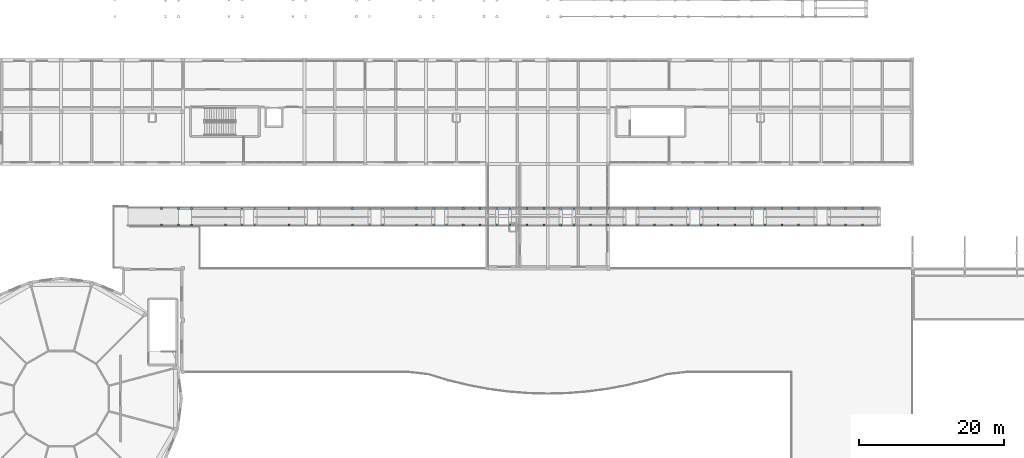
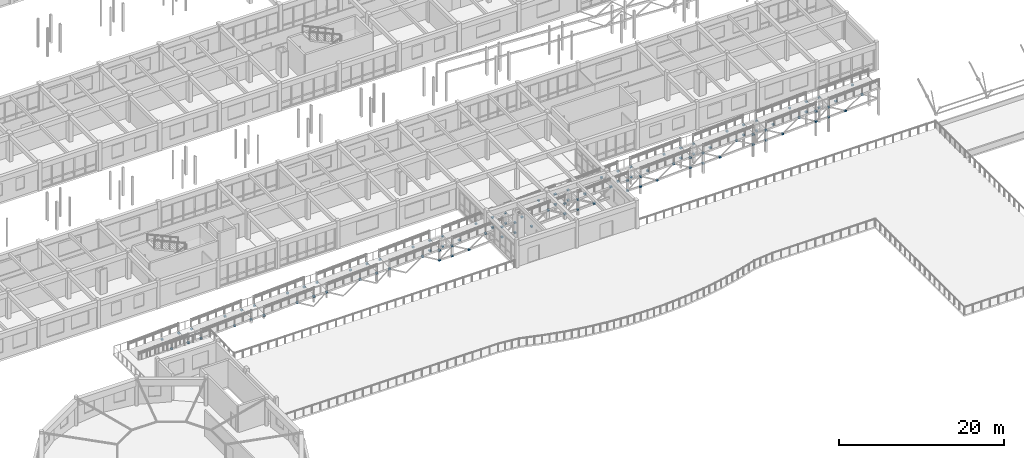
# One storey, part 64 of 90: 110 plates.
"""IFC4 building model written with IfcOpenShell, lengths in metres."""

from ifc_helpers import new_model, si_unit, direction, frame, origin, origin_2d, place, context, subcontext, project, spatial, rectangle, extrude, material, layer, layer_set, type_object, element, save


model = new_model("IFC4")

# Units and contexts
model_context = context("Model", 3, precision=1e-05, world=origin(), true_north=direction((0.0, 1.0)))
body_context = subcontext(model_context, "Body", "Model", "MODEL_VIEW")
ifc_project = project(units=[si_unit("LENGTHUNIT", "METRE"), si_unit("AREAUNIT", "SQUARE_METRE"), si_unit("VOLUMEUNIT", "CUBIC_METRE"), si_unit("PLANEANGLEUNIT", "RADIAN"), si_unit("MASSUNIT", "GRAM", prefix="KILO")], contexts=[model_context])

# Site, building, storey
site_placement = place(None, origin())
site = spatial("IfcSite", under=ifc_project, at=site_placement, CompositionType="ELEMENT")
building_placement = place(site_placement, origin())
building = spatial("IfcBuilding", under=site, at=building_placement, Name="Malvenik Polytechnic", CompositionType="ELEMENT")
storey_placement = place(building_placement, frame((0.0, 0.0, 9.300048828125)))
storey = spatial("IfcBuildingStorey", under=building, at=storey_placement, Name="L02", CompositionType="ELEMENT", Elevation=9.300048828125)

# Plates
ifc_material = material(Name="Steel S355J2H", Category="steel")
ifc_layer = layer(ifc_material, 0.034912109375)
ifc_layer_set = layer_set([ifc_layer], Name="Steel S355J2H")
plate_type = type_object("IfcPlateType", Name="STR-PLT-NP-03", PredefinedType="USERDEFINED", material=ifc_layer_set)
for number, where, z_axis, x_axis, name in (
    (1, (33.0, 41.949951171875, 0.02001953125), (0.0, 0.0, 1.0), (1.0, 0.0, 0.0), "Warren Joint Node Plate RB-01"),
    (2, (34.800048828125, 41.949951171875, 0.02001953125), (0.0, 0.0, 1.0), (1.0, 0.0, 0.0), "Warren Joint Node Plate RB-01"),
    (3, (41.800048828125, 41.949951171875, 0.3701171875), (0.0, 0.0, 1.0), (1.0, 0.0, 0.0), "Warren Joint Node Plate RB-01"),
    (4, (43.60009765625, 41.949951171875, 0.3701171875), (0.0, 0.0, 1.0), (1.0, 0.0, 0.0), "Warren Joint Node Plate RB-01"),
    (5, (50.60009765625, 41.949951171875, 0.7197265625), (0.0, 0.0, 1.0), (1.0, 0.0, 0.0), "Warren Joint Node Plate RB-01"),
    (6, (52.39990234375, 41.949951171875, 0.7197265625), (0.0, 0.0, 1.0), (1.0, 0.0, 0.0), "Warren Joint Node Plate RB-01"),
    (7, (59.39990234375, 41.949951171875, 1.06982421875), (0.0, 0.0, 1.0), (1.0, 0.0, 0.0), "Warren Joint Node Plate RB-01"),
    (8, (61.199951171875, 41.949951171875, 1.06982421875), (0.0, 0.0, 1.0), (1.0, 0.0, 0.0), "Warren Joint Node Plate RB-01"),
    (9, (68.199951171875, 41.949951171875, 1.419921875), (0.0, 0.0, 1.0), (1.0, 0.0, 0.0), "Warren Joint Node Plate RB-01"),
    (10, (68.199951171875, 41.949951171875, -0.080078125), (0.0, 0.0, 1.0), (1.0, 0.0, 0.0), "Warren Joint Node Plate RB-01"),
    (11, (70.0, 41.949951171875, 1.419921875), (0.0, 0.0, 1.0), (1.0, 0.0, 0.0), "Warren Joint Node Plate RB-01"),
    (12, (70.0, 41.949951171875, -0.080078125), (0.0, 0.0, 1.0), (1.0, 0.0, 0.0), "Warren Joint Node Plate RB-01"),
    (13, (77.0, 41.949951171875, 1.77001953125), (0.0, 0.0, 1.0), (1.0, 0.0, 0.0), "Warren Joint Node Plate RB-01"),
    (14, (77.0, 41.949951171875, 0.27001953125), (0.0, 0.0, 1.0), (1.0, 0.0, 0.0), "Warren Joint Node Plate RB-01"),
    (15, (78.800048828125, 41.949951171875, 1.77001953125), (0.0, 0.0, 1.0), (1.0, 0.0, 0.0), "Warren Joint Node Plate RB-01"),
    (16, (78.800048828125, 41.949951171875, 0.27001953125), (0.0, 0.0, 1.0), (1.0, 0.0, 0.0), "Warren Joint Node Plate RB-01"),
    (17, (85.800048828125, 41.949951171875, 2.1201171875), (0.0, 0.0, 1.0), (1.0, 0.0, 0.0), "Warren Joint Node Plate RB-01"),
    (18, (85.800048828125, 41.949951171875, 0.6201171875), (0.0, 0.0, 1.0), (1.0, 0.0, 0.0), "Warren Joint Node Plate RB-01"),
    (19, (87.60009765625, 41.949951171875, 2.1201171875), (0.0, 0.0, 1.0), (1.0, 0.0, 0.0), "Warren Joint Node Plate RB-01"),
    (20, (87.60009765625, 41.949951171875, 0.6201171875), (0.0, 0.0, 1.0), (1.0, 0.0, 0.0), "Warren Joint Node Plate RB-01"),
    (21, (94.60009765625, 41.949951171875, 2.4697265625), (0.0, 0.0, 1.0), (1.0, 0.0, 0.0), "Warren Joint Node Plate RB-01"),
    (22, (94.60009765625, 41.949951171875, 0.9697265625), (0.0, 0.0, 1.0), (1.0, 0.0, 0.0), "Warren Joint Node Plate RB-01"),
    (23, (96.39990234375, 41.949951171875, 2.4697265625), (0.0, 0.0, 1.0), (1.0, 0.0, 0.0), "Warren Joint Node Plate RB-01"),
    (24, (96.39990234375, 41.949951171875, 0.9697265625), (0.0, 0.0, 1.0), (1.0, 0.0, 0.0), "Warren Joint Node Plate RB-01"),
    (25, (103.39990234375, 41.949951171875, 2.81982421875), (0.0, 0.0, 1.0), (1.0, 0.0, 0.0), "Warren Joint Node Plate RB-01"),
    (26, (103.39990234375, 41.949951171875, 1.31982421875), (0.0, 0.0, 1.0), (1.0, 0.0, 0.0), "Warren Joint Node Plate RB-01"),
    (27, (105.199951171875, 41.949951171875, 2.81982421875), (0.0, 0.0, 1.0), (1.0, 0.0, 0.0), "Warren Joint Node Plate RB-01"),
    (28, (105.199951171875, 41.949951171875, 1.31982421875), (0.0, 0.0, 1.0), (1.0, 0.0, 0.0), "Warren Joint Node Plate RB-01"),
    (29, (112.199951171875, 41.949951171875, 3.169921875), (0.0, 0.0, 1.0), (1.0, 0.0, 0.0), "Warren Joint Node Plate RB-01"),
    (30, (112.199951171875, 41.949951171875, 1.669921875), (0.0, 0.0, 1.0), (1.0, 0.0, 0.0), "Warren Joint Node Plate RB-01"),
    (31, (114.0, 41.949951171875, 3.169921875), (0.0, 0.0, 1.0), (1.0, 0.0, 0.0), "Warren Joint Node Plate RB-01"),
    (32, (114.0, 41.949951171875, 1.669921875), (0.0, 0.0, 1.0), (1.0, 0.0, 0.0), "Warren Joint Node Plate RB-01"),
    (33, (121.0, 41.949951171875, 3.52001953125), (0.0, 0.0, 1.0), (1.0, 0.0, 0.0), "Warren Joint Node Plate RB-01"),
    (34, (121.0, 41.949951171875, 2.02001953125), (0.0, 0.0, 1.0), (1.0, 0.0, 0.0), "Warren Joint Node Plate RB-01"),
    (35, (122.800048828125, 41.949951171875, 3.52001953125), (0.0, 0.0, 1.0), (1.0, 0.0, 0.0), "Warren Joint Node Plate RB-01"),
    (36, (122.800048828125, 41.949951171875, 2.02001953125), (0.0, 0.0, 1.0), (1.0, 0.0, 0.0), "Warren Joint Node Plate RB-01"),
    (37, (30.666748046875, 41.949951171875, -0.0966796875), (0.0, 0.0, 1.0), (1.0, 0.0, 0.0), "Warren Web Node Plate RB-01"),
    (38, (39.466796875, 41.949951171875, 0.25341796875), (0.0, 0.0, 1.0), (1.0, 0.0, 0.0), "Warren Web Node Plate RB-01"),
    (39, (48.2666015625, 41.949951171875, 0.60302734375), (0.0, 0.0, 1.0), (1.0, 0.0, 0.0), "Warren Web Node Plate RB-01"),
    (40, (57.066650390625, 41.949951171875, 0.953125), (0.0, 0.0, 1.0), (1.0, 0.0, 0.0), "Warren Web Node Plate RB-01"),
    (41, (65.86669921875, 41.949951171875, 1.30322265625), (0.0, 0.0, 1.0), (1.0, 0.0, 0.0), "Warren Web Node Plate RB-01"),
    (42, (72.333251953125, 41.949951171875, 0.03662109375), (0.0, 0.0, 1.0), (1.0, 0.0, 0.0), "Warren Web Node Plate RB-01"),
    (43, (74.666748046875, 41.949951171875, 1.6533203125), (0.0, 0.0, 1.0), (1.0, 0.0, 0.0), "Warren Web Node Plate RB-01"),
    (44, (81.13330078125, 41.949951171875, 0.38671875), (0.0, 0.0, 1.0), (1.0, 0.0, 0.0), "Warren Web Node Plate RB-01"),
    (45, (83.466796875, 41.949951171875, 2.00341796875), (0.0, 0.0, 1.0), (1.0, 0.0, 0.0), "Warren Web Node Plate RB-01"),
    (46, (89.933349609375, 41.949951171875, 0.73681640625), (0.0, 0.0, 1.0), (1.0, 0.0, 0.0), "Warren Web Node Plate RB-01"),
    (47, (92.2666015625, 41.949951171875, 2.35302734375), (0.0, 0.0, 1.0), (1.0, 0.0, 0.0), "Warren Web Node Plate RB-01"),
    (48, (98.7333984375, 41.949951171875, 1.08642578125), (0.0, 0.0, 1.0), (1.0, 0.0, 0.0), "Warren Web Node Plate RB-01"),
    (49, (101.066650390625, 41.949951171875, 2.703125), (0.0, 0.0, 1.0), (1.0, 0.0, 0.0), "Warren Web Node Plate RB-01"),
    (50, (107.533203125, 41.949951171875, 1.4365234375), (0.0, 0.0, 1.0), (1.0, 0.0, 0.0), "Warren Web Node Plate RB-01"),
    (51, (109.86669921875, 41.949951171875, 3.05322265625), (0.0, 0.0, 1.0), (1.0, 0.0, 0.0), "Warren Web Node Plate RB-01"),
    (52, (116.333251953125, 41.949951171875, 1.78662109375), (0.0, 0.0, 1.0), (1.0, 0.0, 0.0), "Warren Web Node Plate RB-01"),
    (53, (118.666748046875, 41.949951171875, 3.4033203125), (0.0, 0.0, 1.0), (1.0, 0.0, 0.0), "Warren Web Node Plate RB-01"),
    (54, (125.13330078125, 41.949951171875, 2.13671875), (0.0, 0.0, 1.0), (1.0, 0.0, 0.0), "Warren Web Node Plate RB-01"),
    (55, (127.466796875, 41.949951171875, 3.75341796875), (0.0, 0.0, 1.0), (1.0, 0.0, 0.0), "Warren Web Node Plate RB-01"),
    (56, (33.0, 44.25, 0.02001953125), (0.0, 0.0, 1.0), (1.0, 0.0, 0.0), "Warren Joint Node Plate RB-01"),
    (57, (34.800048828125, 44.25, 0.02001953125), (0.0, 0.0, 1.0), (1.0, 0.0, 0.0), "Warren Joint Node Plate RB-01"),
    (58, (41.800048828125, 44.25, 0.3701171875), (0.0, 0.0, 1.0), (1.0, 0.0, 0.0), "Warren Joint Node Plate RB-01"),
    (59, (43.60009765625, 44.25, 0.3701171875), (0.0, 0.0, 1.0), (1.0, 0.0, 0.0), "Warren Joint Node Plate RB-01"),
    (60, (50.60009765625, 44.25, 0.7197265625), (0.0, 0.0, 1.0), (1.0, 0.0, 0.0), "Warren Joint Node Plate RB-01"),
    (61, (52.39990234375, 44.25, 0.7197265625), (0.0, 0.0, 1.0), (1.0, 0.0, 0.0), "Warren Joint Node Plate RB-01"),
    (62, (59.39990234375, 44.25, 1.06982421875), (0.0, 0.0, 1.0), (1.0, 0.0, 0.0), "Warren Joint Node Plate RB-01"),
    (63, (61.199951171875, 44.25, 1.06982421875), (0.0, 0.0, 1.0), (1.0, 0.0, 0.0), "Warren Joint Node Plate RB-01"),
    (64, (68.199951171875, 44.25, 1.419921875), (0.0, 0.0, 1.0), (1.0, 0.0, 0.0), "Warren Joint Node Plate RB-01"),
    (65, (68.199951171875, 44.25, -0.080078125), (0.0, 0.0, 1.0), (1.0, 0.0, 0.0), "Warren Joint Node Plate RB-01"),
    (66, (70.0, 44.25, 1.419921875), (0.0, 0.0, 1.0), (1.0, 0.0, 0.0), "Warren Joint Node Plate RB-01"),
    (67, (70.0, 44.25, -0.080078125), (0.0, 0.0, 1.0), (1.0, 0.0, 0.0), "Warren Joint Node Plate RB-01"),
    (68, (77.0, 44.25, 1.77001953125), (0.0, 0.0, 1.0), (1.0, 0.0, 0.0), "Warren Joint Node Plate RB-01"),
    (69, (77.0, 44.25, 0.27001953125), (0.0, 0.0, 1.0), (1.0, 0.0, 0.0), "Warren Joint Node Plate RB-01"),
    (70, (78.800048828125, 44.25, 1.77001953125), (0.0, 0.0, 1.0), (1.0, 0.0, 0.0), "Warren Joint Node Plate RB-01"),
    (71, (78.800048828125, 44.25, 0.27001953125), (0.0, 0.0, 1.0), (1.0, 0.0, 0.0), "Warren Joint Node Plate RB-01"),
    (72, (85.800048828125, 44.25, 2.1201171875), (0.0, 0.0, 1.0), (1.0, 0.0, 0.0), "Warren Joint Node Plate RB-01"),
    (73, (85.800048828125, 44.25, 0.6201171875), (0.0, 0.0, 1.0), (1.0, 0.0, 0.0), "Warren Joint Node Plate RB-01"),
    (74, (87.60009765625, 44.25, 2.1201171875), (0.0, 0.0, 1.0), (1.0, 0.0, 0.0), "Warren Joint Node Plate RB-01"),
    (75, (87.60009765625, 44.25, 0.6201171875), (0.0, 0.0, 1.0), (1.0, 0.0, 0.0), "Warren Joint Node Plate RB-01"),
    (76, (94.60009765625, 44.25, 2.4697265625), (0.0, 0.0, 1.0), (1.0, 0.0, 0.0), "Warren Joint Node Plate RB-01"),
    (77, (94.60009765625, 44.25, 0.9697265625), (0.0, 0.0, 1.0), (1.0, 0.0, 0.0), "Warren Joint Node Plate RB-01"),
    (78, (96.39990234375, 44.25, 2.4697265625), (0.0, 0.0, 1.0), (1.0, 0.0, 0.0), "Warren Joint Node Plate RB-01"),
    (79, (96.39990234375, 44.25, 0.9697265625), (0.0, 0.0, 1.0), (1.0, 0.0, 0.0), "Warren Joint Node Plate RB-01"),
    (80, (103.39990234375, 44.25, 2.81982421875), (0.0, 0.0, 1.0), (1.0, 0.0, 0.0), "Warren Joint Node Plate RB-01"),
    (81, (103.39990234375, 44.25, 1.31982421875), (0.0, 0.0, 1.0), (1.0, 0.0, 0.0), "Warren Joint Node Plate RB-01"),
    (82, (105.199951171875, 44.25, 2.81982421875), (0.0, 0.0, 1.0), (1.0, 0.0, 0.0), "Warren Joint Node Plate RB-01"),
    (83, (105.199951171875, 44.25, 1.31982421875), (0.0, 0.0, 1.0), (1.0, 0.0, 0.0), "Warren Joint Node Plate RB-01"),
    (84, (112.199951171875, 44.25, 3.169921875), (0.0, 0.0, 1.0), (1.0, 0.0, 0.0), "Warren Joint Node Plate RB-01"),
    (85, (112.199951171875, 44.25, 1.669921875), (0.0, 0.0, 1.0), (1.0, 0.0, 0.0), "Warren Joint Node Plate RB-01"),
    (86, (114.0, 44.25, 3.169921875), (0.0, 0.0, 1.0), (1.0, 0.0, 0.0), "Warren Joint Node Plate RB-01"),
    (87, (114.0, 44.25, 1.669921875), (0.0, 0.0, 1.0), (1.0, 0.0, 0.0), "Warren Joint Node Plate RB-01"),
    (88, (121.0, 44.25, 3.52001953125), (0.0, 0.0, 1.0), (1.0, 0.0, 0.0), "Warren Joint Node Plate RB-01"),
    (89, (121.0, 44.25, 2.02001953125), (0.0, 0.0, 1.0), (1.0, 0.0, 0.0), "Warren Joint Node Plate RB-01"),
    (90, (122.800048828125, 44.25, 3.52001953125), (0.0, 0.0, 1.0), (1.0, 0.0, 0.0), "Warren Joint Node Plate RB-01"),
    (91, (122.800048828125, 44.25, 2.02001953125), (0.0, 0.0, 1.0), (1.0, 0.0, 0.0), "Warren Joint Node Plate RB-01"),
    (92, (30.666748046875, 44.25, -0.0966796875), (0.0, 0.0, 1.0), (1.0, 0.0, 0.0), "Warren Web Node Plate RB-01"),
    (93, (39.466796875, 44.25, 0.25341796875), (0.0, 0.0, 1.0), (1.0, 0.0, 0.0), "Warren Web Node Plate RB-01"),
    (94, (48.2666015625, 44.25, 0.60302734375), (0.0, 0.0, 1.0), (1.0, 0.0, 0.0), "Warren Web Node Plate RB-01"),
    (95, (57.066650390625, 44.25, 0.953125), (0.0, 0.0, 1.0), (1.0, 0.0, 0.0), "Warren Web Node Plate RB-01"),
    (96, (65.86669921875, 44.25, 1.30322265625), (0.0, 0.0, 1.0), (1.0, 0.0, 0.0), "Warren Web Node Plate RB-01"),
    (97, (72.333251953125, 44.25, 0.03662109375), (0.0, 0.0, 1.0), (1.0, 0.0, 0.0), "Warren Web Node Plate RB-01"),
    (98, (74.666748046875, 44.25, 1.6533203125), (0.0, 0.0, 1.0), (1.0, 0.0, 0.0), "Warren Web Node Plate RB-01"),
    (99, (81.13330078125, 44.25, 0.38671875), (0.0, 0.0, 1.0), (1.0, 0.0, 0.0), "Warren Web Node Plate RB-01"),
    (100, (83.466796875, 44.25, 2.00341796875), (0.0, 0.0, 1.0), (1.0, 0.0, 0.0), "Warren Web Node Plate RB-01"),
    (101, (89.933349609375, 44.25, 0.73681640625), (0.0, 0.0, 1.0), (1.0, 0.0, 0.0), "Warren Web Node Plate RB-01"),
    (102, (92.2666015625, 44.25, 2.35302734375), (0.0, 0.0, 1.0), (1.0, 0.0, 0.0), "Warren Web Node Plate RB-01"),
    (103, (98.7333984375, 44.25, 1.08642578125), (0.0, 0.0, 1.0), (1.0, 0.0, 0.0), "Warren Web Node Plate RB-01"),
    (104, (101.066650390625, 44.25, 2.703125), (0.0, 0.0, 1.0), (1.0, 0.0, 0.0), "Warren Web Node Plate RB-01"),
    (105, (107.533203125, 44.25, 1.4365234375), (0.0, 0.0, 1.0), (1.0, 0.0, 0.0), "Warren Web Node Plate RB-01"),
    (106, (109.86669921875, 44.25, 3.05322265625), (0.0, 0.0, 1.0), (1.0, 0.0, 0.0), "Warren Web Node Plate RB-01"),
    (107, (116.333251953125, 44.25, 1.78662109375), (0.0, 0.0, 1.0), (1.0, 0.0, 0.0), "Warren Web Node Plate RB-01"),
    (108, (118.666748046875, 44.25, 3.4033203125), (0.0, 0.0, 1.0), (1.0, 0.0, 0.0), "Warren Web Node Plate RB-01"),
    (109, (125.13330078125, 44.25, 2.13671875), (0.0, 0.0, 1.0), (1.0, 0.0, 0.0), "Warren Web Node Plate RB-01"),
    (110, (127.466796875, 44.25, 3.75341796875), (0.0, 0.0, 1.0), (1.0, 0.0, 0.0), "Warren Web Node Plate RB-01"),
):
    element("IfcPlate", number, at=place(storey_placement, frame(where, z_axis=z_axis, x_axis=x_axis)), inside=storey, type_object=plate_type, Name=name, ObjectType="GUSSET PLATE", PredefinedType="USERDEFINED", context=body_context, shape_type="SweptSolid", body=[
        extrude(rectangle(XDim=0.280029296875, YDim=0.280029296875, at=origin_2d()), origin(), (0.0, 0.0, 1.0), 0.219970703125),
    ])

save(model, "model.ifc")
